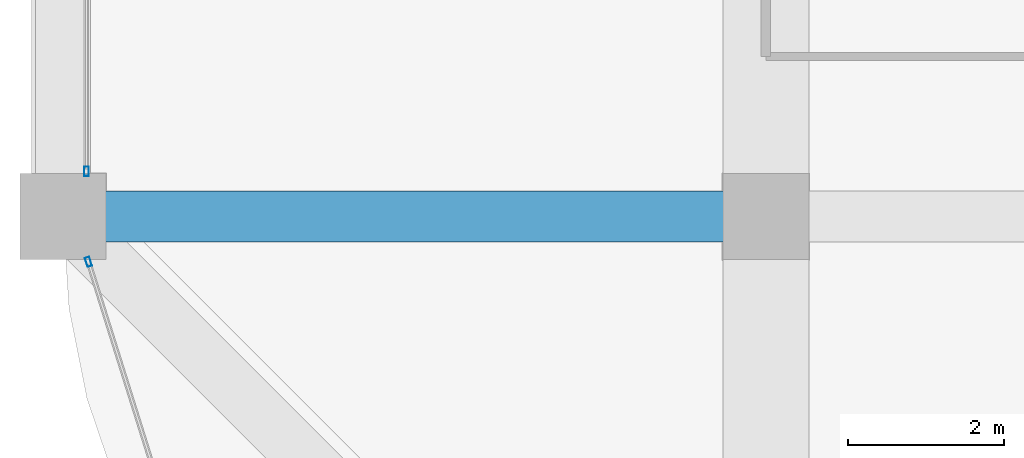
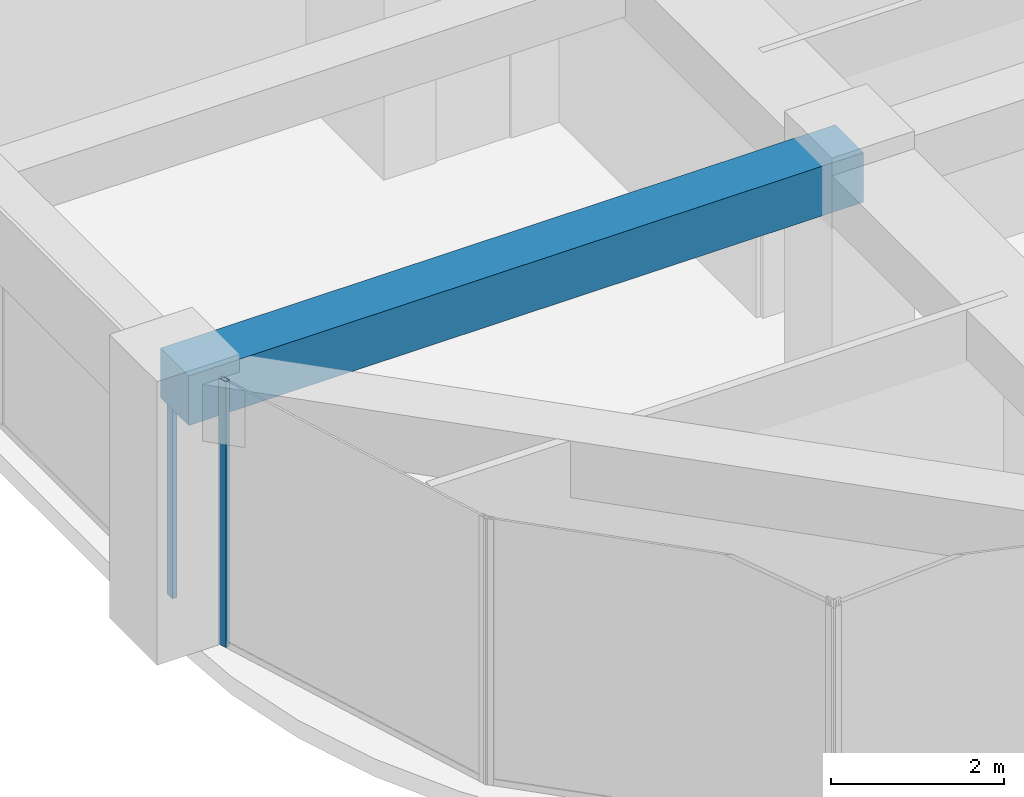
# One storey, part 6 of 44: 2 members, 1 beam, 2 elements without a shape of their own.
"""IFC4 building model written with IfcOpenShell, lengths in metres."""

import ifcopenshell
import ifcopenshell.guid

model = None  # the IFC model being written
_history = None  # IfcOwnerHistory: only IFC2X3 demands one
_inside = {}  # id of a spatial element -> (the spatial element, [elements in it])
_under = {}  # id of a project, library or spatial element -> (it, [spatial elements below it])
_declared = {}  # id of a project -> (the project, [libraries it declares])
_typed = {}  # id of a type object -> (the type object, [elements of that type])
_made_of = {}  # id of a material, layer set ... -> (it, [elements and type objects made of it])


def new_model(schema):
    """Start an empty IFC model of exactly this schema.

    Asked for "IFC4X3", IfcOpenShell would pick the latest addendum, in which some entities
    have other attributes; the version numbers below select the first issue.
    IFC2X3 requires an IfcOwnerHistory on every rooted entity: one is made here for all.
    """
    global model, _history
    if schema == "IFC4X3":
        model = ifcopenshell.file(schema_version=(4, 3, 0, 0))
    else:
        model = ifcopenshell.file(schema=schema)
    _inside.clear()
    _under.clear()
    _declared.clear()
    _typed.clear()
    _made_of.clear()
    _history = None
    if model.schema == "IFC2X3":
        org = make("IfcOrganization", Name="unknown")
        user = make(
            "IfcPersonAndOrganization",
            ThePerson=make("IfcPerson", FamilyName="unknown"),
            TheOrganization=org,
        )
        app = make(
            "IfcApplication",
            ApplicationDeveloper=org,
            Version="unknown",
            ApplicationFullName="unknown",
            ApplicationIdentifier="unknown",
        )
        _history = make(
            "IfcOwnerHistory",
            OwningUser=user,
            OwningApplication=app,
            ChangeAction="ADDED",
            CreationDate=0,
        )
    return model


def make(cls, **values):
    """One entity of the class cls with the attributes given. An attribute that is None is left unset."""
    return model.create_entity(
        cls, **{name: value for name, value in values.items() if value is not None}
    )


def rooted(cls, **values):
    """An entity with a GlobalId (a new one), such as an element, a storey or a relation."""
    return make(cls, GlobalId=ifcopenshell.guid.new(), OwnerHistory=_history, **values)


def si_unit(unit_type, name, prefix=None):
    """IfcSIUnit, for example si_unit("LENGTHUNIT", "METRE", prefix="MILLI")."""
    return make("IfcSIUnit", UnitType=unit_type, Prefix=prefix, Name=name)


def assignment(units):
    """IfcUnitAssignment: the units of a project."""
    return None if units is None else make("IfcUnitAssignment", Units=units)


def point(xyz):
    """IfcCartesianPoint."""
    return None if xyz is None else make("IfcCartesianPoint", Coordinates=xyz)


def direction(xyz):
    """IfcDirection."""
    return None if xyz is None else make("IfcDirection", DirectionRatios=xyz)


def frame(location, z_axis=None, x_axis=None):
    """IfcAxis2Placement3D, a coordinate frame: its origin and axes. An axis left out is left unset."""
    return make(
        "IfcAxis2Placement3D",
        Location=point(location),
        Axis=direction(z_axis),
        RefDirection=direction(x_axis),
    )


def frame_2d(location, x_axis=None):
    """IfcAxis2Placement2D, a coordinate frame in the plane: its origin and x axis."""
    return make(
        "IfcAxis2Placement2D", Location=point(location), RefDirection=direction(x_axis)
    )


def origin():
    """The frame at (0, 0, 0) with its axes left unset."""
    return frame((0.0, 0.0, 0.0))


def origin_2d():
    """The frame at (0, 0) in the plane with its x axis left unset."""
    return frame_2d((0.0, 0.0))


def place(relative_to, where):
    """IfcLocalPlacement: puts the frame where relative to a parent placement (None: the world)."""
    return make(
        "IfcLocalPlacement", PlacementRelTo=relative_to, RelativePlacement=where
    )


def context(
    kind, dimensions, precision=None, world=None, true_north=None, identifier=None
):
    """IfcGeometricRepresentationContext, for example the 3D "Model" context."""
    return make(
        "IfcGeometricRepresentationContext",
        ContextIdentifier=identifier,
        ContextType=kind,
        CoordinateSpaceDimension=dimensions,
        Precision=precision,
        WorldCoordinateSystem=world,
        TrueNorth=true_north,
    )


def subcontext(parent, identifier, kind, view, scale=None):
    """IfcGeometricRepresentationSubContext, for example "Body" below "Model"."""
    return make(
        "IfcGeometricRepresentationSubContext",
        ContextIdentifier=identifier,
        ContextType=kind,
        ParentContext=parent,
        TargetScale=scale,
        TargetView=view,
    )


def project(units=None, contexts=None):
    """IfcProject with its units and contexts."""
    return rooted(
        "IfcProject",
        Name="project",
        RepresentationContexts=contexts,
        UnitsInContext=assignment(units),
    )


def spatial(cls, under=None, at=None, **own):
    """A site, building, storey or space (cls), placed at a placement, below another one or the project."""
    s = rooted(cls, ObjectPlacement=at, **own)
    if under is not None:
        _under.setdefault(under.id(), (under, []))[1].append(s)
    return s


def profile(cls, at=None, kind="AREA", **sizes):
    """A parametric profile (cls). Its sizes go by their IFC names, for example OverallWidth=200.0."""
    return make(cls, ProfileType=kind, Position=at, **sizes)


def rectangle(**sizes):
    """IfcRectangleProfileDef."""
    return profile("IfcRectangleProfileDef", **sizes)


def hollow_rectangle(**sizes):
    """IfcRectangleHollowProfileDef."""
    return profile("IfcRectangleHollowProfileDef", **sizes)


def extrude(swept, where, along, depth):
    """IfcExtrudedAreaSolid: the profile swept, set in the frame where, extruded along a direction by depth."""
    return make(
        "IfcExtrudedAreaSolid",
        SweptArea=swept,
        Position=where,
        ExtrudedDirection=direction(along),
        Depth=depth,
    )


def shape(context_of_items, identifier, shape_type, items):
    """IfcShapeRepresentation: the items that make up one representation, for example the "Body"."""
    return make(
        "IfcShapeRepresentation",
        ContextOfItems=context_of_items,
        RepresentationIdentifier=identifier,
        RepresentationType=shape_type,
        Items=items,
    )


def material(Name=None, Category=None):
    """IfcMaterial."""
    return make("IfcMaterial", Name=Name, Category=Category)


def material_profile(
    of_material, cross_section, Name=None, Category=None, Priority=None
):
    """IfcMaterialProfile: a cross section and its material."""
    return make(
        "IfcMaterialProfile",
        Name=Name,
        Material=of_material,
        Profile=cross_section,
        Priority=Priority,
        Category=Category,
    )


def profile_set(profiles, Name=None, composite=None):
    """IfcMaterialProfileSet."""
    return make(
        "IfcMaterialProfileSet",
        Name=Name,
        MaterialProfiles=profiles,
        CompositeProfile=composite,
    )


def made_of(thing, what):
    """Note that an element or type object is made of a material, layer set ...; save() writes the relation."""
    if what is not None:
        _made_of.setdefault(what.id(), (what, []))[1].append(thing)
    return thing


def type_object(cls, material=None, **own):
    """A type object (cls), such as IfcWallType, which elements share."""
    return made_of(rooted(cls, **own), material)


def element(
    cls,
    number,
    at=None,
    inside=None,
    cuts=None,
    type_object=None,
    material=None,
    context=None,
    identifier="Body",
    shape_type=None,
    held_by="IfcProductDefinitionShape",
    body=None,
    shapes=None,
    **own,
):
    """One element of the class cls, such as IfcWall. Its Tag is "e" and its number.

    at: its placement. inside: the storey or other place that contains it. cuts: it is an
    opening in that element (IfcRelVoidsElement). A single representation is given by context,
    identifier, shape_type and body (its items); several are given by shapes. held_by: the class
    of the entity that holds the representations. save() writes the other relations.
    """
    e = rooted(cls, Tag="e%d" % number, ObjectPlacement=at, **own)
    if body is not None:
        shapes = [shape(context, identifier, shape_type, body)]
    if shapes is not None:
        e.Representation = make(held_by, Representations=shapes)
    if inside is not None:
        _inside.setdefault(inside.id(), (inside, []))[1].append(e)
    if cuts is not None:
        rooted(
            "IfcRelVoidsElement", RelatingBuildingElement=cuts, RelatedOpeningElement=e
        )
    if type_object is not None:
        _typed.setdefault(type_object.id(), (type_object, []))[1].append(e)
    return made_of(e, material)


def aggregate(whole, parts):
    """IfcRelAggregates: a whole, such as a stair, and the parts it consists of."""
    return rooted("IfcRelAggregates", RelatingObject=whole, RelatedObjects=parts)


def save(model, path):
    """Write the relations noted so far, then the file.

    IfcRelAggregates (storeys below a building ...), IfcRelContainedInSpatialStructure (elements
    in a storey), IfcRelDefinesByType, IfcRelAssociatesMaterial and IfcRelDeclares: one each for
    every whole, place, type object, material and project.
    """
    for whole, parts in _under.values():
        aggregate(whole, parts)
    for where, things in _inside.values():
        rooted(
            "IfcRelContainedInSpatialStructure",
            RelatedElements=things,
            RelatingStructure=where,
        )
    for kind, things in _typed.values():
        rooted("IfcRelDefinesByType", RelatedObjects=things, RelatingType=kind)
    for what, things in _made_of.values():
        rooted("IfcRelAssociatesMaterial", RelatedObjects=things, RelatingMaterial=what)
    for by, libraries in _declared.values():
        rooted("IfcRelDeclares", RelatingContext=by, RelatedDefinitions=libraries)
    model.write(path)


model = new_model("IFC4")

# Units and contexts
model_context = context("Model", 3, precision=1e-05, world=origin(), true_north=direction((0.0, 1.0)))
body_context = subcontext(model_context, "Body", "Model", "MODEL_VIEW")
ifc_project = project(units=[si_unit("LENGTHUNIT", "METRE"), si_unit("AREAUNIT", "SQUARE_METRE"), si_unit("VOLUMEUNIT", "CUBIC_METRE"), si_unit("PLANEANGLEUNIT", "RADIAN"), si_unit("MASSUNIT", "GRAM", prefix="KILO")], contexts=[model_context])

# Site, building, storey
site_placement = place(None, origin())
site = spatial("IfcSite", under=ifc_project, at=site_placement, CompositionType="ELEMENT")
building_placement = place(site_placement, origin())
building = spatial("IfcBuilding", under=site, at=building_placement, Name="Zorevar Civic Tower", CompositionType="ELEMENT")
storey_placement = place(building_placement, frame((0.0, 0.0, 251.39990234375)))
storey = spatial("IfcBuildingStorey", under=building, at=storey_placement, Name="L61", CompositionType="ELEMENT", Elevation=251.39990234375)

# Beam
ifc_material_1 = material(Name="Concrete C50/60", Category="concrete")
ifc_material_profile_1 = material_profile(ifc_material_1, rectangle(XDim=0.64990234375, YDim=0.699951171875, at=origin_2d()), Name="RC 650x700")
ifc_profile_set_1 = profile_set([ifc_material_profile_1], Name="Concrete C50/60")
beam_type = type_object("IfcBeamType", Name="Beam RC 650x700", PredefinedType="BEAM", material=ifc_profile_set_1)
beam_placement = place(storey_placement, frame((9.0, 9.0, 3.400146484375), z_axis=(1.0, 0.0, 0.0), x_axis=(0.0, 1.0, 0.0)))
element("IfcBeam", 1, at=beam_placement, inside=storey, type_object=beam_type, Name="Girder L62", PredefinedType="BEAM", context=body_context, shape_type="SweptSolid", body=[
    extrude(rectangle(XDim=0.64990234375, YDim=0.699951171875, at=origin_2d()), origin(), (0.0, 0.0, 1.0), 9.0),
])

# Curtain wall, member
ifc_material_2 = material(Name="Dark grey solar-control glass in black aluminium frame", Category="aluminium")
curtain_wall_type = type_object("IfcCurtainWallType", Name="Curtain wall CW5 top zone", PredefinedType="NOTDEFINED", material=ifc_material_2)
curtain_wall_1_placement = place(storey_placement, origin())
curtain_wall_1 = element("IfcCurtainWall", 2, at=curtain_wall_1_placement, inside=storey, type_object=curtain_wall_type, Name="CW5 L61", PredefinedType="NOTDEFINED")
ifc_material_3 = material(Name="Aluminium, black anodised", Category="aluminium")
ifc_material_profile_2 = material_profile(ifc_material_3, hollow_rectangle(XDim=0.06005859375, YDim=0.1201171875, WallThickness=0.0029296875, at=origin_2d()), Name="AL 120x60x3")
ifc_profile_set_2 = profile_set([ifc_material_profile_2], Name="Aluminium, black anodised")
member_type = type_object("IfcMemberType", Name="CW5 mullion AL 120x60x3", PredefinedType="MULLION", material=ifc_profile_set_2)
member_1_placement = place(storey_placement, frame((9.300048828125, 9.580078125, 0.0), z_axis=(0.0, 0.0, 1.0), x_axis=(-1.0, 0.0, 0.0)))
member_1 = element("IfcMember", 3, at=member_1_placement, type_object=member_type, Name="CW5 mullion 1", PredefinedType="MULLION", context=body_context, shape_type="SweptSolid", body=[
    extrude(hollow_rectangle(XDim=0.06005859375, YDim=0.1201171875, WallThickness=0.0029296875, at=origin_2d()), origin(), (0.0, 0.0, 1.0), 2.9501953125),
])
aggregate(curtain_wall_1, [member_1])

curtain_wall_2_placement = place(storey_placement, origin())
curtain_wall_2 = element("IfcCurtainWall", 4, at=curtain_wall_2_placement, inside=storey, type_object=curtain_wall_type, Name="CW5 L61", PredefinedType="NOTDEFINED")
member_2_placement = place(storey_placement, frame((9.326416015625, 8.42138671875, 0.0), z_axis=(0.0, 0.0, 1.0), x_axis=(0.954153437674, 0.299317920238, 0.0)))
member_2 = element("IfcMember", 5, at=member_2_placement, type_object=member_type, Name="CW5 mullion 1", PredefinedType="MULLION", context=body_context, shape_type="SweptSolid", body=[
    extrude(hollow_rectangle(XDim=0.06005859375, YDim=0.1201171875, WallThickness=0.0029296875, at=origin_2d()), origin(), (0.0, 0.0, 1.0), 3.75),
])
aggregate(curtain_wall_2, [member_2])

save(model, "model.ifc")
